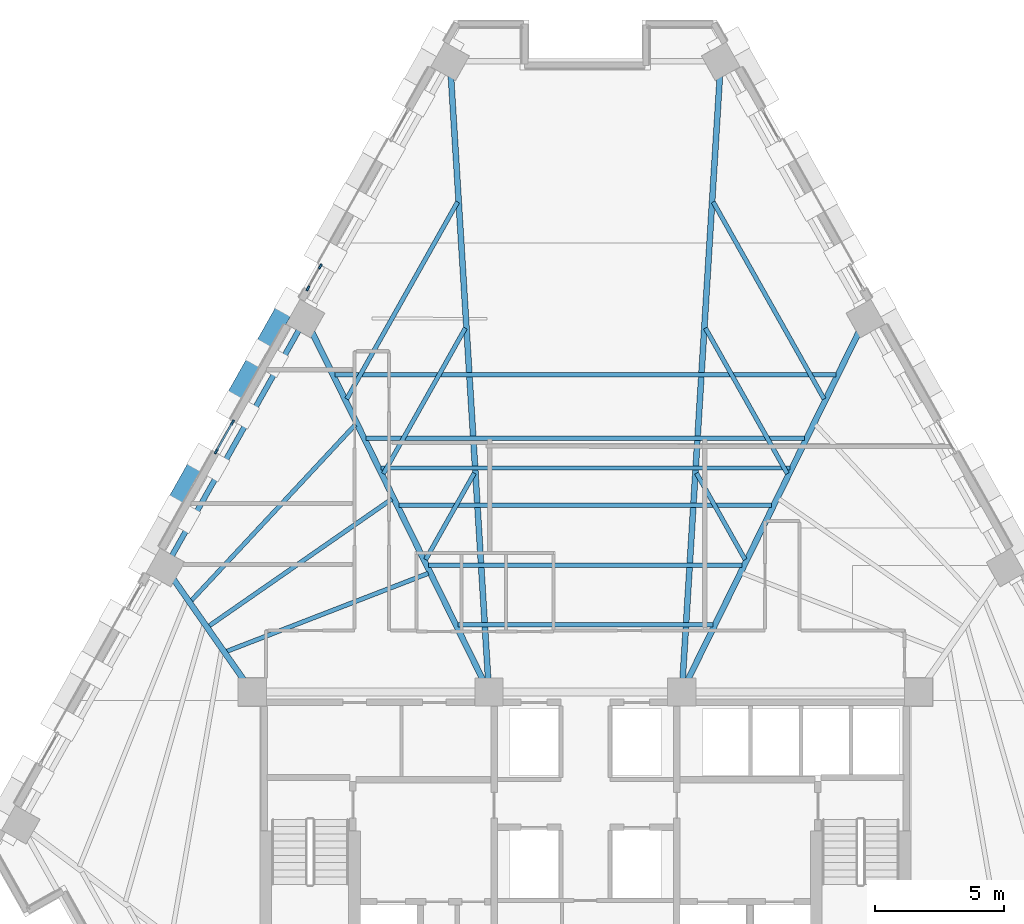
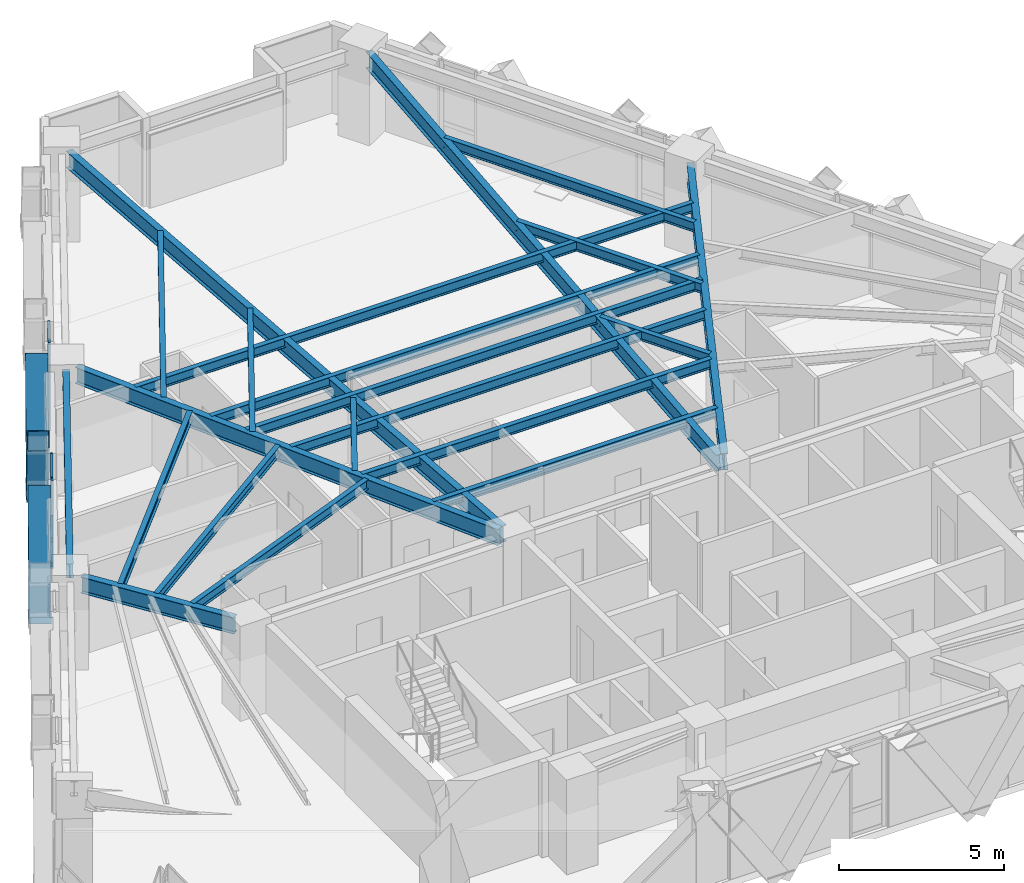
# One storey, part 3 of 13: 21 beams, 10 members, 2 elements without a shape of their own.
"""IFC4 building model written with IfcOpenShell, lengths in metres."""

from ifc_helpers import new_model, si_unit, direction, frame, origin, origin_2d, place, context, subcontext, project, spatial, rectangle, hollow_rectangle, i_section, extrude, material, material_profile, profile_set, type_object, element, aggregate, save


model = new_model("IFC4")

# Units and contexts
model_context = context("Model", 3, precision=1e-05, world=origin(), true_north=direction((0.0, 1.0)))
body_context = subcontext(model_context, "Body", "Model", "MODEL_VIEW")
ifc_project = project(units=[si_unit("LENGTHUNIT", "METRE"), si_unit("AREAUNIT", "SQUARE_METRE"), si_unit("VOLUMEUNIT", "CUBIC_METRE"), si_unit("PLANEANGLEUNIT", "RADIAN"), si_unit("MASSUNIT", "GRAM", prefix="KILO")], contexts=[model_context])

# Site, building, storey
site_placement = place(None, origin())
site = spatial("IfcSite", under=ifc_project, at=site_placement, CompositionType="ELEMENT")
building_placement = place(site_placement, origin())
building = spatial("IfcBuilding", under=site, at=building_placement, Name="Quenlor Broadcast Tower", CompositionType="ELEMENT")
storey_placement = place(building_placement, frame((0.0, 0.0, 119.5)))
storey = spatial("IfcBuildingStorey", under=building, at=storey_placement, Name="L32", CompositionType="ELEMENT", Elevation=119.5)

# Curtain wall, members
ifc_material_1 = material(Name="Architectural Terracotta and Low-E Glazing", Category="masonry")
curtain_wall_type = type_object("IfcCurtainWallType", Name="Unitised Terracotta Curtain Wall System Z2", PredefinedType="NOTDEFINED", material=ifc_material_1)
curtain_wall_1_placement = place(storey_placement, origin())
curtain_wall_1 = element("IfcCurtainWall", 1, at=curtain_wall_1_placement, inside=storey, type_object=curtain_wall_type, Name="L32 Curtain Wall CW2 (L32-NWC-G1)", PredefinedType="NOTDEFINED")
ifc_material_2 = material(Name="Aluminium 6063-T6", Category="aluminium")
ifc_material_profile_1 = material_profile(ifc_material_2, rectangle(XDim=0.074951171875, YDim=0.199951171875, at=origin_2d()))
ifc_profile_set_1 = profile_set([ifc_material_profile_1], Name="Aluminium 6063-T6 MULL75x200")
member_type_1 = type_object("IfcMemberType", Name="CW2 Aluminium Mullion MULL_CW2", PredefinedType="MULLION", material=ifc_profile_set_1)
member_1_placement = place(storey_placement, frame((-10.7880859375, 10.894775390625, 0.0), z_axis=(0.0, 0.0, 1.0), x_axis=(-0.871580587336, 0.490252261371, 0.0)))
member_1 = element("IfcMember", 2, at=member_1_placement, type_object=member_type_1, Name="CW2 mullion 1", PredefinedType="MULLION", context=body_context, shape_type="SweptSolid", body=[
    extrude(rectangle(XDim=0.074951171875, YDim=0.199951171875, at=origin_2d()), origin(), (0.0, 0.0, 1.0), 3.25),
])
member_2_placement = place(storey_placement, frame((-10.306396484375, 11.751220703125, 0.0), z_axis=(0.0, 0.0, 1.0), x_axis=(-0.871580587336, 0.490252261371, 0.0)))
member_2 = element("IfcMember", 3, at=member_2_placement, type_object=member_type_1, Name="CW2 mullion 2", PredefinedType="MULLION", context=body_context, shape_type="SweptSolid", body=[
    extrude(rectangle(XDim=0.074951171875, YDim=0.199951171875, at=origin_2d()), origin(), (0.0, 0.0, 1.0), 3.25),
])
aggregate(curtain_wall_1, [member_1, member_2])

curtain_wall_2_placement = place(storey_placement, origin())
curtain_wall_2 = element("IfcCurtainWall", 4, at=curtain_wall_2_placement, inside=storey, type_object=curtain_wall_type, Name="L32 Curtain Wall CW2 (L32-NW-G1)", PredefinedType="NOTDEFINED")
member_3_placement = place(storey_placement, frame((-14.3515625, 4.559814453125, 0.0), z_axis=(0.0, 0.0, 1.0), x_axis=(-0.871579452423, 0.490254279037, 0.0)))
member_3 = element("IfcMember", 5, at=member_3_placement, type_object=member_type_1, Name="CW2 mullion 1", PredefinedType="MULLION", context=body_context, shape_type="SweptSolid", body=[
    extrude(rectangle(XDim=0.074951171875, YDim=0.199951171875, at=origin_2d()), origin(), (0.0, 0.0, 1.0), 3.25),
])
member_4_placement = place(storey_placement, frame((-13.719482421875, 5.683349609375, 0.0), z_axis=(0.0, 0.0, 1.0), x_axis=(-0.871579452423, 0.490254279037, 0.0)))
member_4 = element("IfcMember", 6, at=member_4_placement, type_object=member_type_1, Name="CW2 mullion 2", PredefinedType="MULLION", context=body_context, shape_type="SweptSolid", body=[
    extrude(rectangle(XDim=0.074951171875, YDim=0.199951171875, at=origin_2d()), origin(), (0.0, 0.0, 1.0), 3.25),
])
ifc_material_3 = material(Name="Aluminium 6063-T6", Category="aluminium")
ifc_material_profile_2 = material_profile(ifc_material_3, rectangle(XDim=0.074951171875, YDim=0.1650390625, at=origin_2d()))
ifc_profile_set_2 = profile_set([ifc_material_profile_2], Name="Aluminium 6063-T6 TRAN75x165")
member_type_2 = type_object("IfcMemberType", Name="CW2 Aluminium Transom TRAN_CW2", PredefinedType="USERDEFINED", material=ifc_profile_set_2)
member_5_placement = place(storey_placement, frame((-14.333251953125, 4.592529296875, 0.03759765625), z_axis=(0.490433072585, 0.871478858788, 0.0), x_axis=(-0.871478858788, 0.490433072585, 0.0)))
member_5 = element("IfcMember", 7, at=member_5_placement, type_object=member_type_2, Name="CW2 transom 1.1", ObjectType="TRANSOM", PredefinedType="USERDEFINED", context=body_context, shape_type="SweptSolid", body=[
    extrude(rectangle(XDim=0.074951171875, YDim=0.1650390625, at=origin_2d()), origin(), (0.0, 0.0, 1.0), 1.214111328125),
])
member_6_placement = place(storey_placement, frame((-14.333251953125, 4.592529296875, 0.949951171875), z_axis=(0.490433072585, 0.871478858788, 0.0), x_axis=(-0.871478858788, 0.490433072585, 0.0)))
member_6 = element("IfcMember", 8, at=member_6_placement, type_object=member_type_2, Name="CW2 transom 1.2", ObjectType="TRANSOM", PredefinedType="USERDEFINED", context=body_context, shape_type="SweptSolid", body=[
    extrude(rectangle(XDim=0.074951171875, YDim=0.1650390625, at=origin_2d()), origin(), (0.0, 0.0, 1.0), 1.214111328125),
])
member_7_placement = place(storey_placement, frame((-14.333251953125, 4.592529296875, 3.21240234375), z_axis=(0.490433072585, 0.871478858788, 0.0), x_axis=(-0.871478858788, 0.490433072585, 0.0)))
member_7 = element("IfcMember", 9, at=member_7_placement, type_object=member_type_2, Name="CW2 transom 1.3", ObjectType="TRANSOM", PredefinedType="USERDEFINED", context=body_context, shape_type="SweptSolid", body=[
    extrude(rectangle(XDim=0.074951171875, YDim=0.1650390625, at=origin_2d()), origin(), (0.0, 0.0, 1.0), 1.214111328125),
])
aggregate(curtain_wall_2, [member_3, member_4, member_5, member_6, member_7])

# Members
ifc_material_4 = material(Name="Steel S355", Category="steel")
ifc_material_profile_3 = material_profile(ifc_material_4, hollow_rectangle(XDim=0.679931640625, YDim=0.679931640625, WallThickness=0.030029296875, at=origin_2d()))
ifc_profile_set_3 = profile_set([ifc_material_profile_3], Name="Steel S355 RHS680x680x30")
member_type_3 = type_object("IfcMemberType", Name="Perimeter Diagonal Lattice Brace Z2 Steel S355 RHS680x30", PredefinedType="BRACE", material=ifc_profile_set_3)
for number, where, z_axis, x_axis, name in (
    (10, (-16.07958984375, 2.29345703125, -0.1201171875), (0.268696511206, 0.477585438485, 0.836489290913), (-0.871532878923, 0.490337068716, 0.0), "L32 Perimeter Diamond Lattice NW-C3S"),
    (11, (-12.68017578125, 8.3369140625, -0.1201171875), (-0.268642373731, -0.477592925498, 0.83650240439), (0.871578380919, -0.490256183964, 0.0), "L32 Perimeter Diamond Lattice NW-C3B"),
):
    element("IfcMember", number, at=place(storey_placement, frame(where, z_axis=z_axis, x_axis=x_axis)), inside=storey, type_object=member_type_3, Name=name, PredefinedType="BRACE", context=body_context, shape_type="SweptSolid", body=[
        extrude(hollow_rectangle(XDim=0.679931640625, YDim=0.679931640625, WallThickness=0.030029296875, at=origin_2d()), origin(), (0.0, 0.0, 1.0), 4.18408203125),
    ])
member_8_placement = place(storey_placement, frame((-12.66650390625, 8.361083984375, -0.1201171875), z_axis=(0.268634887212, 0.477637964099, 0.83647909276), x_axis=(-0.871603971106, 0.490210686901, 0.0)))
element("IfcMember", 12, at=member_8_placement, inside=storey, type_object=member_type_3, Name="L32 Perimeter Diamond Lattice NW-C4S", PredefinedType="BRACE", context=body_context, shape_type="SweptSolid", body=[
    extrude(hollow_rectangle(XDim=0.679931640625, YDim=0.679931640625, WallThickness=0.030029296875, at=origin_2d()), origin(), (0.0, 0.0, 1.0), 4.184326171875),
])

# Beams
ifc_material_5 = material(Name="Steel S355", Category="steel")
ifc_material_profile_4 = material_profile(ifc_material_5, i_section(OverallWidth=0.208984375, OverallDepth=0.5283203125, WebThickness=0.009521484375, FlangeThickness=0.01318359375, FilletRadius=0.013916015625, at=origin_2d()))
ifc_profile_set_4 = profile_set([ifc_material_profile_4], Name="Steel S355 530UB82.0")
beam_type_1 = type_object("IfcBeamType", Name="Perimeter Spandrel Beam Z2 Steel S355 530UB82.0", PredefinedType="SPANDREL", material=ifc_profile_set_4)
beam_1_placement = place(storey_placement, frame((-11.087890625, 9.3623046875, 2.98583984375), z_axis=(-0.49026462139, -0.871573634878, 0.0), x_axis=(0.871573634878, -0.49026462139, 0.0)))
element("IfcBeam", 13, at=beam_1_placement, inside=storey, type_object=beam_type_1, Name="L32 Spandrel Beam NW2-NW3", PredefinedType="SPANDREL", context=body_context, shape_type="SweptSolid", body=[
    extrude(i_section(OverallWidth=0.208984375, OverallDepth=0.5283203125, WebThickness=0.009521484375, FlangeThickness=0.01318359375, FilletRadius=0.013916015625, at=origin_2d()), origin(), (0.0, 0.0, 1.0), 10.28271484375),
])
ifc_material_6 = material(Name="Steel S355", Category="steel")
ifc_material_profile_5 = material_profile(ifc_material_6, i_section(OverallWidth=0.172119140625, OverallDepth=0.358642578125, WebThickness=0.008056640625, FlangeThickness=0.012939453125, FilletRadius=0.011474609375, at=origin_2d()))
ifc_profile_set_5 = profile_set([ifc_material_profile_5], Name="Steel S355 360UB56.7")
beam_type_2 = type_object("IfcBeamType", Name="Tower Composite Joist Z2-Z3 Steel S355 360UB56.7", PredefinedType="JOIST", material=ifc_profile_set_5)
beam_2_placement = place(storey_placement, frame((-4.95458984375, -2.1865234375, 3.07080078125), z_axis=(1.0, 0.0, 0.0), x_axis=(0.0, 1.0, 0.0)))
element("IfcBeam", 14, at=beam_2_placement, inside=storey, type_object=beam_type_2, Name="L32 Secondary Composite Joist 1", PredefinedType="JOIST", context=body_context, shape_type="SweptSolid", body=[
    extrude(i_section(OverallWidth=0.172119140625, OverallDepth=0.358642578125, WebThickness=0.008056640625, FlangeThickness=0.012939453125, FilletRadius=0.011474609375, at=origin_2d()), origin(), (0.0, 0.0, 1.0), 9.9091796875),
])
beam_3_placement = place(storey_placement, frame((-7.9521484375, 3.911865234375, 3.07080078125), z_axis=(1.0, 0.0, 0.0), x_axis=(0.0, 1.0, 0.0)))
element("IfcBeam", 15, at=beam_3_placement, inside=storey, type_object=beam_type_2, Name="L32 Secondary Composite Joist 2", PredefinedType="JOIST", context=body_context, shape_type="SweptSolid", body=[
    extrude(i_section(OverallWidth=0.172119140625, OverallDepth=0.358642578125, WebThickness=0.008056640625, FlangeThickness=0.012939453125, FilletRadius=0.011474609375, at=origin_2d()), origin(), (0.0, 0.0, 1.0), 15.904296875),
])
beam_4_placement = place(storey_placement, frame((-6.096435546875, 0.13671875, 3.07080078125), z_axis=(1.0, 0.0, 0.0), x_axis=(0.0, 1.0, 0.0)))
element("IfcBeam", 16, at=beam_4_placement, inside=storey, type_object=beam_type_2, Name="L32 Secondary Composite Joist 3", PredefinedType="JOIST", context=body_context, shape_type="SweptSolid", body=[
    extrude(i_section(OverallWidth=0.172119140625, OverallDepth=0.358642578125, WebThickness=0.008056640625, FlangeThickness=0.012939453125, FilletRadius=0.011474609375, at=origin_2d()), origin(), (0.0, 0.0, 1.0), 12.19287109375),
])
beam_5_placement = place(storey_placement, frame((-7.238525390625, 2.4599609375, 3.07080078125), z_axis=(1.0, 0.0, 0.0), x_axis=(0.0, 1.0, 0.0)))
element("IfcBeam", 17, at=beam_5_placement, inside=storey, type_object=beam_type_2, Name="L32 Secondary Composite Joist 4", PredefinedType="JOIST", context=body_context, shape_type="SweptSolid", body=[
    extrude(i_section(OverallWidth=0.172119140625, OverallDepth=0.358642578125, WebThickness=0.008056640625, FlangeThickness=0.012939453125, FilletRadius=0.011474609375, at=origin_2d()), origin(), (0.0, 0.0, 1.0), 14.47705078125),
])
beam_6_placement = place(storey_placement, frame((-8.523193359375, 5.073486328125, 3.07080078125), z_axis=(1.0, 0.0, 0.0), x_axis=(0.0, 1.0, 0.0)))
element("IfcBeam", 18, at=beam_6_placement, inside=storey, type_object=beam_type_2, Name="L32 Secondary Composite Joist 5", PredefinedType="JOIST", context=body_context, shape_type="SweptSolid", body=[
    extrude(i_section(OverallWidth=0.172119140625, OverallDepth=0.358642578125, WebThickness=0.008056640625, FlangeThickness=0.012939453125, FilletRadius=0.011474609375, at=origin_2d()), origin(), (0.0, 0.0, 1.0), 17.04638671875),
])
beam_7_placement = place(storey_placement, frame((-9.736328125, 7.541748046875, 3.07080078125), z_axis=(1.0, 0.0, 0.0), x_axis=(0.0, 1.0, 0.0)))
element("IfcBeam", 19, at=beam_7_placement, inside=storey, type_object=beam_type_2, Name="L32 Secondary Composite Joist 6", PredefinedType="JOIST", context=body_context, shape_type="SweptSolid", body=[
    extrude(i_section(OverallWidth=0.172119140625, OverallDepth=0.358642578125, WebThickness=0.008056640625, FlangeThickness=0.012939453125, FilletRadius=0.011474609375, at=origin_2d()), origin(), (0.0, 0.0, 1.0), 19.47265625),
])
beam_8_placement = place(storey_placement, frame((-13.95703125, -3.221435546875, 3.07080078125), z_axis=(0.932542579586, 0.361060018916, 0.0), x_axis=(-0.361060018916, 0.932542579586, 0.0)))
element("IfcBeam", 20, at=beam_8_placement, inside=storey, type_object=beam_type_2, Name="L32 Secondary Composite Joist 7", PredefinedType="JOIST", context=body_context, shape_type="SweptSolid", body=[
    extrude(i_section(OverallWidth=0.172119140625, OverallDepth=0.358642578125, WebThickness=0.008056640625, FlangeThickness=0.012939453125, FilletRadius=0.011474609375, at=origin_2d()), origin(), (0.0, 0.0, 1.0), 8.416259765625),
])
beam_9_placement = place(storey_placement, frame((-14.641845703125, -2.236083984375, 3.07080078125), z_axis=(0.821385737622, 0.570373097219, 0.0), x_axis=(-0.570373097219, 0.821385737622, 0.0)))
element("IfcBeam", 21, at=beam_9_placement, inside=storey, type_object=beam_type_2, Name="L32 Secondary Composite Joist 8", PredefinedType="JOIST", context=body_context, shape_type="SweptSolid", body=[
    extrude(i_section(OverallWidth=0.172119140625, OverallDepth=0.358642578125, WebThickness=0.008056640625, FlangeThickness=0.012939453125, FilletRadius=0.011474609375, at=origin_2d()), origin(), (0.0, 0.0, 1.0), 8.662109375),
])
beam_10_placement = place(storey_placement, frame((-15.3291015625, -1.254638671875, 3.07080078125), z_axis=(0.681880655944, 0.73146344478, 0.0), x_axis=(-0.73146344478, 0.681880655944, 0.0)))
element("IfcBeam", 22, at=beam_10_placement, inside=storey, type_object=beam_type_2, Name="L32 Secondary Composite Joist 9", PredefinedType="JOIST", context=body_context, shape_type="SweptSolid", body=[
    extrude(i_section(OverallWidth=0.172119140625, OverallDepth=0.358642578125, WebThickness=0.008056640625, FlangeThickness=0.012939453125, FilletRadius=0.011474609375, at=origin_2d()), origin(), (0.0, 0.0, 1.0), 9.365234375),
])
beam_11_placement = place(storey_placement, frame((-4.318603515625, 3.7119140625, 3.07080078125), z_axis=(-0.49024921379, -0.871582301552, 0.0), x_axis=(0.871582301552, -0.49024921379, 0.0)))
element("IfcBeam", 23, at=beam_11_placement, inside=storey, type_object=beam_type_2, Name="L32 Secondary Composite Joist 25", PredefinedType="JOIST", context=body_context, shape_type="SweptSolid", body=[
    extrude(i_section(OverallWidth=0.172119140625, OverallDepth=0.358642578125, WebThickness=0.008056640625, FlangeThickness=0.012939453125, FilletRadius=0.011474609375, at=origin_2d()), origin(), (0.0, 0.0, 1.0), 3.85546875),
])
beam_12_placement = place(storey_placement, frame((-4.66650390625, 9.351318359375, 3.07080078125), z_axis=(-0.490232680913, -0.871591600789, 0.0), x_axis=(0.871591600789, -0.490232680913, 0.0)))
element("IfcBeam", 24, at=beam_12_placement, inside=storey, type_object=beam_type_2, Name="L32 Secondary Composite Joist 26", PredefinedType="JOIST", context=body_context, shape_type="SweptSolid", body=[
    extrude(i_section(OverallWidth=0.172119140625, OverallDepth=0.358642578125, WebThickness=0.008056640625, FlangeThickness=0.012939453125, FilletRadius=0.011474609375, at=origin_2d()), origin(), (0.0, 0.0, 1.0), 6.494140625),
])
beam_13_placement = place(storey_placement, frame((-4.96875, 14.255126953125, 3.07080078125), z_axis=(-0.490273109583, -0.871568860171, 0.0), x_axis=(0.871568860171, -0.490273109583, 0.0)))
element("IfcBeam", 25, at=beam_13_placement, inside=storey, type_object=beam_type_2, Name="L32 Secondary Composite Joist 27", PredefinedType="JOIST", context=body_context, shape_type="SweptSolid", body=[
    extrude(i_section(OverallWidth=0.172119140625, OverallDepth=0.358642578125, WebThickness=0.008056640625, FlangeThickness=0.012939453125, FilletRadius=0.011474609375, at=origin_2d()), origin(), (0.0, 0.0, 1.0), 8.78857421875),
])
beam_14_placement = place(storey_placement, frame((4.318603515625, 3.7119140625, 3.07080078125), z_axis=(0.49024921379, -0.871582301552, 0.0), x_axis=(0.871582301552, 0.49024921379, 0.0)))
element("IfcBeam", 26, at=beam_14_placement, inside=storey, type_object=beam_type_2, Name="L32 Secondary Composite Joist 28", PredefinedType="JOIST", context=body_context, shape_type="SweptSolid", body=[
    extrude(i_section(OverallWidth=0.172119140625, OverallDepth=0.358642578125, WebThickness=0.008056640625, FlangeThickness=0.012939453125, FilletRadius=0.011474609375, at=origin_2d()), origin(), (0.0, 0.0, 1.0), 3.85546875),
])
beam_15_placement = place(storey_placement, frame((4.66650390625, 9.351318359375, 3.07080078125), z_axis=(0.490232680913, -0.871591600789, 0.0), x_axis=(0.871591600789, 0.490232680913, 0.0)))
element("IfcBeam", 27, at=beam_15_placement, inside=storey, type_object=beam_type_2, Name="L32 Secondary Composite Joist 29", PredefinedType="JOIST", context=body_context, shape_type="SweptSolid", body=[
    extrude(i_section(OverallWidth=0.172119140625, OverallDepth=0.358642578125, WebThickness=0.008056640625, FlangeThickness=0.012939453125, FilletRadius=0.011474609375, at=origin_2d()), origin(), (0.0, 0.0, 1.0), 6.494140625),
])
beam_16_placement = place(storey_placement, frame((4.96875, 14.255126953125, 3.07080078125), z_axis=(0.490273109583, -0.871568860171, 0.0), x_axis=(0.871568860171, 0.490273109583, 0.0)))
element("IfcBeam", 28, at=beam_16_placement, inside=storey, type_object=beam_type_2, Name="L32 Secondary Composite Joist 30", PredefinedType="JOIST", context=body_context, shape_type="SweptSolid", body=[
    extrude(i_section(OverallWidth=0.172119140625, OverallDepth=0.358642578125, WebThickness=0.008056640625, FlangeThickness=0.012939453125, FilletRadius=0.011474609375, at=origin_2d()), origin(), (0.0, 0.0, 1.0), 8.78857421875),
])
ifc_material_7 = material(Name="Steel S355", Category="steel")
ifc_material_profile_6 = material_profile(ifc_material_7, i_section(OverallWidth=0.22802734375, OverallDepth=0.60205078125, WebThickness=0.010498046875, FlangeThickness=0.014892578125, FilletRadius=0.013916015625, at=origin_2d()))
ifc_profile_set_6 = profile_set([ifc_material_profile_6], Name="Steel S355 610UB101")
beam_type_3 = type_object("IfcBeamType", Name="Tower Primary Floor Beam Z2 Steel S355 610UB101", PredefinedType="BEAM", material=ifc_profile_set_6)
beam_17_placement = place(storey_placement, frame((10.7060546875, 9.351806640625, 2.948974609375), z_axis=(-0.441130328176, -0.897443053103, 0.0), x_axis=(0.897443053103, -0.441130328176, 0.0)))
element("IfcBeam", 29, at=beam_17_placement, inside=storey, type_object=beam_type_3, Name="L32 Primary Radial Beam NE3", PredefinedType="BEAM", context=body_context, shape_type="SweptSolid", body=[
    extrude(i_section(OverallWidth=0.22802734375, OverallDepth=0.60205078125, WebThickness=0.010498046875, FlangeThickness=0.014892578125, FilletRadius=0.013916015625, at=origin_2d()), origin(), (0.0, 0.0, 1.0), 15.38916015625),
])
for number, where, z_axis, x_axis, name in (
    (30, (5.237060546875, 19.309814453125, 2.948974609375), (-0.061559977358, -0.998103386022, 0.0), (0.998103386022, -0.061559977358, 0.0), "L32 Primary Radial Beam NE4"),
    (31, (-5.237060546875, 19.309814453125, 2.948974609375), (0.061559977358, -0.998103386022, 0.0), (0.998103386022, 0.061559977358, 0.0), "L32 Primary Radial Beam NW1"),
):
    element("IfcBeam", number, at=place(storey_placement, frame(where, z_axis=z_axis, x_axis=x_axis)), inside=storey, type_object=beam_type_3, Name=name, PredefinedType="BEAM", context=body_context, shape_type="SweptSolid", body=[
        extrude(i_section(OverallWidth=0.22802734375, OverallDepth=0.60205078125, WebThickness=0.010498046875, FlangeThickness=0.014892578125, FilletRadius=0.013916015625, at=origin_2d()), origin(), (0.0, 0.0, 1.0), 23.775634765625),
    ])
beam_18_placement = place(storey_placement, frame((-10.7060546875, 9.351806640625, 2.948974609375), z_axis=(0.441130328176, -0.897443053103, 0.0), x_axis=(0.897443053103, 0.441130328176, 0.0)))
element("IfcBeam", 32, at=beam_18_placement, inside=storey, type_object=beam_type_3, Name="L32 Primary Radial Beam NW2", PredefinedType="BEAM", context=body_context, shape_type="SweptSolid", body=[
    extrude(i_section(OverallWidth=0.22802734375, OverallDepth=0.60205078125, WebThickness=0.010498046875, FlangeThickness=0.014892578125, FilletRadius=0.013916015625, at=origin_2d()), origin(), (0.0, 0.0, 1.0), 15.38916015625),
])
beam_19_placement = place(storey_placement, frame((-16.095458984375, -0.293212890625, 2.948974609375), z_axis=(0.572337599985, -0.820018092266, 0.0), x_axis=(0.820018092266, 0.572337599985, 0.0)))
element("IfcBeam", 33, at=beam_19_placement, inside=storey, type_object=beam_type_3, Name="L32 Primary Radial Beam NW3", PredefinedType="BEAM", context=body_context, shape_type="SweptSolid", body=[
    extrude(i_section(OverallWidth=0.22802734375, OverallDepth=0.60205078125, WebThickness=0.010498046875, FlangeThickness=0.014892578125, FilletRadius=0.013916015625, at=origin_2d()), origin(), (0.0, 0.0, 1.0), 5.11572265625),
])

save(model, "model.ifc")
